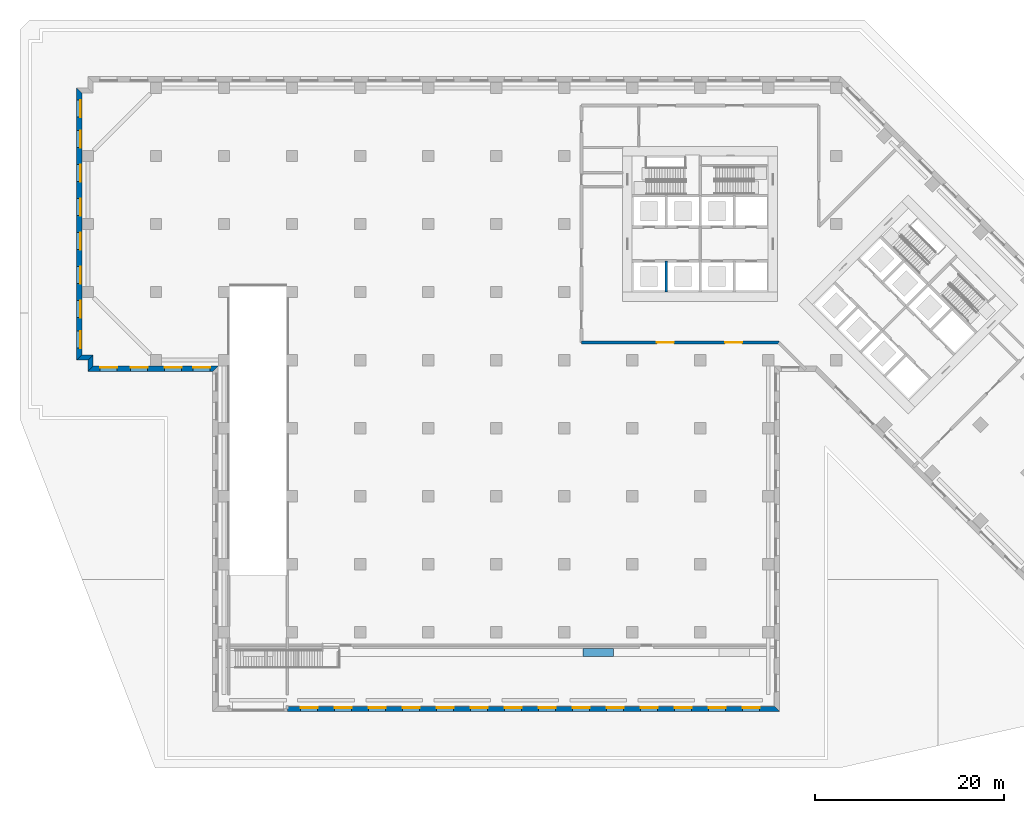
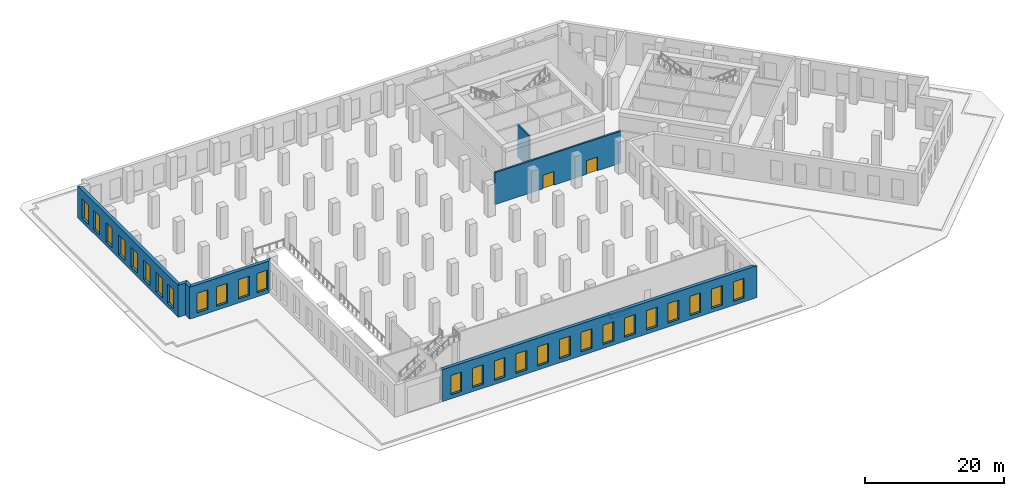
# One storey, part 4 of 15: 26 windows, 8 walls, 2 doors, 28 openings.
"""IFC4 building model written with IfcOpenShell, lengths in metres."""

import ifcopenshell
import ifcopenshell.guid

model = None  # the IFC model being written
_history = None  # IfcOwnerHistory: only IFC2X3 demands one
_inside = {}  # id of a spatial element -> (the spatial element, [elements in it])
_under = {}  # id of a project, library or spatial element -> (it, [spatial elements below it])
_declared = {}  # id of a project -> (the project, [libraries it declares])
_typed = {}  # id of a type object -> (the type object, [elements of that type])
_made_of = {}  # id of a material, layer set ... -> (it, [elements and type objects made of it])


def new_model(schema):
    """Start an empty IFC model of exactly this schema.

    Asked for "IFC4X3", IfcOpenShell would pick the latest addendum, in which some entities
    have other attributes; the version numbers below select the first issue.
    IFC2X3 requires an IfcOwnerHistory on every rooted entity: one is made here for all.
    """
    global model, _history
    if schema == "IFC4X3":
        model = ifcopenshell.file(schema_version=(4, 3, 0, 0))
    else:
        model = ifcopenshell.file(schema=schema)
    _inside.clear()
    _under.clear()
    _declared.clear()
    _typed.clear()
    _made_of.clear()
    _history = None
    if model.schema == "IFC2X3":
        org = make("IfcOrganization", Name="unknown")
        user = make(
            "IfcPersonAndOrganization",
            ThePerson=make("IfcPerson", FamilyName="unknown"),
            TheOrganization=org,
        )
        app = make(
            "IfcApplication",
            ApplicationDeveloper=org,
            Version="unknown",
            ApplicationFullName="unknown",
            ApplicationIdentifier="unknown",
        )
        _history = make(
            "IfcOwnerHistory",
            OwningUser=user,
            OwningApplication=app,
            ChangeAction="ADDED",
            CreationDate=0,
        )
    return model


def make(cls, **values):
    """One entity of the class cls with the attributes given. An attribute that is None is left unset."""
    return model.create_entity(
        cls, **{name: value for name, value in values.items() if value is not None}
    )


def rooted(cls, **values):
    """An entity with a GlobalId (a new one), such as an element, a storey or a relation."""
    return make(cls, GlobalId=ifcopenshell.guid.new(), OwnerHistory=_history, **values)


def si_unit(unit_type, name, prefix=None):
    """IfcSIUnit, for example si_unit("LENGTHUNIT", "METRE", prefix="MILLI")."""
    return make("IfcSIUnit", UnitType=unit_type, Prefix=prefix, Name=name)


def assignment(units):
    """IfcUnitAssignment: the units of a project."""
    return None if units is None else make("IfcUnitAssignment", Units=units)


def point(xyz):
    """IfcCartesianPoint."""
    return None if xyz is None else make("IfcCartesianPoint", Coordinates=xyz)


def direction(xyz):
    """IfcDirection."""
    return None if xyz is None else make("IfcDirection", DirectionRatios=xyz)


def frame(location, z_axis=None, x_axis=None):
    """IfcAxis2Placement3D, a coordinate frame: its origin and axes. An axis left out is left unset."""
    return make(
        "IfcAxis2Placement3D",
        Location=point(location),
        Axis=direction(z_axis),
        RefDirection=direction(x_axis),
    )


def frame_2d(location, x_axis=None):
    """IfcAxis2Placement2D, a coordinate frame in the plane: its origin and x axis."""
    return make(
        "IfcAxis2Placement2D", Location=point(location), RefDirection=direction(x_axis)
    )


def origin():
    """The frame at (0, 0, 0) with its axes left unset."""
    return frame((0.0, 0.0, 0.0))


def place(relative_to, where):
    """IfcLocalPlacement: puts the frame where relative to a parent placement (None: the world)."""
    return make(
        "IfcLocalPlacement", PlacementRelTo=relative_to, RelativePlacement=where
    )


def context(
    kind, dimensions, precision=None, world=None, true_north=None, identifier=None
):
    """IfcGeometricRepresentationContext, for example the 3D "Model" context."""
    return make(
        "IfcGeometricRepresentationContext",
        ContextIdentifier=identifier,
        ContextType=kind,
        CoordinateSpaceDimension=dimensions,
        Precision=precision,
        WorldCoordinateSystem=world,
        TrueNorth=true_north,
    )


def subcontext(parent, identifier, kind, view, scale=None):
    """IfcGeometricRepresentationSubContext, for example "Body" below "Model"."""
    return make(
        "IfcGeometricRepresentationSubContext",
        ContextIdentifier=identifier,
        ContextType=kind,
        ParentContext=parent,
        TargetScale=scale,
        TargetView=view,
    )


def project(units=None, contexts=None):
    """IfcProject with its units and contexts."""
    return rooted(
        "IfcProject",
        Name="project",
        RepresentationContexts=contexts,
        UnitsInContext=assignment(units),
    )


def spatial(cls, under=None, at=None, **own):
    """A site, building, storey or space (cls), placed at a placement, below another one or the project."""
    s = rooted(cls, ObjectPlacement=at, **own)
    if under is not None:
        _under.setdefault(under.id(), (under, []))[1].append(s)
    return s


def polyline(points):
    """IfcPolyline through the points."""
    return make("IfcPolyline", Points=[point(p) for p in points])


def profile(cls, at=None, kind="AREA", **sizes):
    """A parametric profile (cls). Its sizes go by their IFC names, for example OverallWidth=200.0."""
    return make(cls, ProfileType=kind, Position=at, **sizes)


def rectangle(**sizes):
    """IfcRectangleProfileDef."""
    return profile("IfcRectangleProfileDef", **sizes)


def outline(outer, holes=None, kind="AREA"):
    """IfcArbitraryClosedProfileDef: a profile drawn as a closed curve; with holes, ...WithVoids."""
    if holes is None:
        return make("IfcArbitraryClosedProfileDef", ProfileType=kind, OuterCurve=outer)
    return make(
        "IfcArbitraryProfileDefWithVoids",
        ProfileType=kind,
        OuterCurve=outer,
        InnerCurves=holes,
    )


def extrude(swept, where, along, depth):
    """IfcExtrudedAreaSolid: the profile swept, set in the frame where, extruded along a direction by depth."""
    return make(
        "IfcExtrudedAreaSolid",
        SweptArea=swept,
        Position=where,
        ExtrudedDirection=direction(along),
        Depth=depth,
    )


def shape(context_of_items, identifier, shape_type, items):
    """IfcShapeRepresentation: the items that make up one representation, for example the "Body"."""
    return make(
        "IfcShapeRepresentation",
        ContextOfItems=context_of_items,
        RepresentationIdentifier=identifier,
        RepresentationType=shape_type,
        Items=items,
    )


def material(Name=None, Category=None):
    """IfcMaterial."""
    return make("IfcMaterial", Name=Name, Category=Category)


def layer(
    of_material, thickness, ventilated=None, Name=None, Category=None, Priority=None
):
    """IfcMaterialLayer: one layer of a wall or slab, of a material (None: an air gap)."""
    return make(
        "IfcMaterialLayer",
        Material=of_material,
        LayerThickness=thickness,
        IsVentilated=ventilated,
        Name=Name,
        Category=Category,
        Priority=Priority,
    )


def layer_set(layers, Name=None):
    """IfcMaterialLayerSet."""
    return make("IfcMaterialLayerSet", MaterialLayers=layers, LayerSetName=Name)


def made_of(thing, what):
    """Note that an element or type object is made of a material, layer set ...; save() writes the relation."""
    if what is not None:
        _made_of.setdefault(what.id(), (what, []))[1].append(thing)
    return thing


def type_object(cls, material=None, **own):
    """A type object (cls), such as IfcWallType, which elements share."""
    return made_of(rooted(cls, **own), material)


def element(
    cls,
    number,
    at=None,
    inside=None,
    cuts=None,
    type_object=None,
    material=None,
    context=None,
    identifier="Body",
    shape_type=None,
    held_by="IfcProductDefinitionShape",
    body=None,
    shapes=None,
    **own,
):
    """One element of the class cls, such as IfcWall. Its Tag is "e" and its number.

    at: its placement. inside: the storey or other place that contains it. cuts: it is an
    opening in that element (IfcRelVoidsElement). A single representation is given by context,
    identifier, shape_type and body (its items); several are given by shapes. held_by: the class
    of the entity that holds the representations. save() writes the other relations.
    """
    e = rooted(cls, Tag="e%d" % number, ObjectPlacement=at, **own)
    if body is not None:
        shapes = [shape(context, identifier, shape_type, body)]
    if shapes is not None:
        e.Representation = make(held_by, Representations=shapes)
    if inside is not None:
        _inside.setdefault(inside.id(), (inside, []))[1].append(e)
    if cuts is not None:
        rooted(
            "IfcRelVoidsElement", RelatingBuildingElement=cuts, RelatedOpeningElement=e
        )
    if type_object is not None:
        _typed.setdefault(type_object.id(), (type_object, []))[1].append(e)
    return made_of(e, material)


def fill(opening, filler):
    """IfcRelFillsElement: the door or window that sits in an opening."""
    return rooted(
        "IfcRelFillsElement",
        RelatingOpeningElement=opening,
        RelatedBuildingElement=filler,
    )


def aggregate(whole, parts):
    """IfcRelAggregates: a whole, such as a stair, and the parts it consists of."""
    return rooted("IfcRelAggregates", RelatingObject=whole, RelatedObjects=parts)


def save(model, path):
    """Write the relations noted so far, then the file.

    IfcRelAggregates (storeys below a building ...), IfcRelContainedInSpatialStructure (elements
    in a storey), IfcRelDefinesByType, IfcRelAssociatesMaterial and IfcRelDeclares: one each for
    every whole, place, type object, material and project.
    """
    for whole, parts in _under.values():
        aggregate(whole, parts)
    for where, things in _inside.values():
        rooted(
            "IfcRelContainedInSpatialStructure",
            RelatedElements=things,
            RelatingStructure=where,
        )
    for kind, things in _typed.values():
        rooted("IfcRelDefinesByType", RelatedObjects=things, RelatingType=kind)
    for what, things in _made_of.values():
        rooted("IfcRelAssociatesMaterial", RelatedObjects=things, RelatingMaterial=what)
    for by, libraries in _declared.values():
        rooted("IfcRelDeclares", RelatingContext=by, RelatedDefinitions=libraries)
    model.write(path)


model = new_model("IFC4")

# Units and contexts
model_context = context("Model", 3, precision=1e-05, world=origin(), true_north=direction((0.0, 1.0)))
body_context = subcontext(model_context, "Body", "Model", "MODEL_VIEW")
ifc_project = project(units=[si_unit("LENGTHUNIT", "METRE"), si_unit("AREAUNIT", "SQUARE_METRE"), si_unit("VOLUMEUNIT", "CUBIC_METRE"), si_unit("PLANEANGLEUNIT", "RADIAN"), si_unit("MASSUNIT", "GRAM", prefix="KILO")], contexts=[model_context])

# Site, building, storey
site_placement = place(None, origin())
site = spatial("IfcSite", under=ifc_project, at=site_placement, CompositionType="ELEMENT")
building_placement = place(site_placement, origin())
building = spatial("IfcBuilding", under=site, at=building_placement, Name="Windrow Commons", CompositionType="ELEMENT")
storey_placement = place(building_placement, origin())
storey = spatial("IfcBuildingStorey", under=building, at=storey_placement, Name="L00", CompositionType="ELEMENT", Elevation=0.0)

# Wall, openings, windows
ifc_material_1 = material(Name="Brick masonry, red clay brick", Category="masonry")
ifc_layer_1 = layer(ifc_material_1, 0.55)
ifc_layer_set_1 = layer_set([ifc_layer_1], Name="Brick facade wall 550")
wall_type_1 = type_object("IfcWallType", Name="Brick facade wall 550", PredefinedType="SOLIDWALL", material=ifc_layer_set_1)
wall_1_placement = place(storey_placement, frame((-0.925, 71.725, 0.0), z_axis=(0.0, 0.0, 1.0), x_axis=(0.0, -1.0, 0.0)))
wall_1 = element("IfcWall", 1, at=wall_1_placement, inside=storey, type_object=wall_type_1, Name="Brick facade wall L00 8", PredefinedType="SOLIDWALL", context=body_context, shape_type="SweptSolid", body=[
    extrude(outline(polyline([(-0.275, -0.275), (28.525, -0.275), (27.975, 0.275), (0.275, 0.275), (-0.275, -0.275)])), origin(), (0.0, 0.0, 1.0), 5.6),
])
opening_1_placement = place(wall_1_placement, frame((1.0, 0.0, 0.7)))
opening_1 = element("IfcOpeningElement", 2, at=opening_1_placement, cuts=wall_1, Name="Opening W3", PredefinedType="OPENING", context=body_context, shape_type="SweptSolid", body=[
    extrude(rectangle(XDim=1.8, YDim=3.4, at=frame_2d((0.9, 1.7))), frame((0.0, 0.285, 0.0), z_axis=(0.0, -1.0, 0.0), x_axis=(1.0, 0.0, 0.0)), (0.0, 0.0, 1.0), 0.57),
])
opening_2_placement = place(wall_1_placement, frame((4.225, 0.0, 0.7)))
opening_2 = element("IfcOpeningElement", 3, at=opening_2_placement, cuts=wall_1, Name="Opening W3", PredefinedType="OPENING", context=body_context, shape_type="SweptSolid", body=[
    extrude(rectangle(XDim=1.8, YDim=3.4, at=frame_2d((0.9, 1.7))), frame((0.0, 0.285, 0.0), z_axis=(0.0, -1.0, 0.0), x_axis=(1.0, 0.0, 0.0)), (0.0, 0.0, 1.0), 0.57),
])
opening_3_placement = place(wall_1_placement, frame((7.825, 0.0, 0.7)))
opening_3 = element("IfcOpeningElement", 4, at=opening_3_placement, cuts=wall_1, Name="Opening W3", PredefinedType="OPENING", context=body_context, shape_type="SweptSolid", body=[
    extrude(rectangle(XDim=1.8, YDim=3.4, at=frame_2d((0.9, 1.7))), frame((0.0, 0.285, 0.0), z_axis=(0.0, -1.0, 0.0), x_axis=(1.0, 0.0, 0.0)), (0.0, 0.0, 1.0), 0.57),
])
opening_4_placement = place(wall_1_placement, frame((11.425, 0.0, 0.7)))
opening_4 = element("IfcOpeningElement", 5, at=opening_4_placement, cuts=wall_1, Name="Opening W3", PredefinedType="OPENING", context=body_context, shape_type="SweptSolid", body=[
    extrude(rectangle(XDim=1.8, YDim=3.4, at=frame_2d((0.9, 1.7))), frame((0.0, 0.285, 0.0), z_axis=(0.0, -1.0, 0.0), x_axis=(1.0, 0.0, 0.0)), (0.0, 0.0, 1.0), 0.57),
])
opening_5_placement = place(wall_1_placement, frame((15.025, 0.0, 0.7)))
opening_5 = element("IfcOpeningElement", 6, at=opening_5_placement, cuts=wall_1, Name="Opening W3", PredefinedType="OPENING", context=body_context, shape_type="SweptSolid", body=[
    extrude(rectangle(XDim=1.8, YDim=3.4, at=frame_2d((0.9, 1.7))), frame((0.0, 0.285, 0.0), z_axis=(0.0, -1.0, 0.0), x_axis=(1.0, 0.0, 0.0)), (0.0, 0.0, 1.0), 0.57),
])
opening_6_placement = place(wall_1_placement, frame((18.625, 0.0, 0.7)))
opening_6 = element("IfcOpeningElement", 7, at=opening_6_placement, cuts=wall_1, Name="Opening W3", PredefinedType="OPENING", context=body_context, shape_type="SweptSolid", body=[
    extrude(rectangle(XDim=1.8, YDim=3.4, at=frame_2d((0.9, 1.7))), frame((0.0, 0.285, 0.0), z_axis=(0.0, -1.0, 0.0), x_axis=(1.0, 0.0, 0.0)), (0.0, 0.0, 1.0), 0.57),
])
opening_7_placement = place(wall_1_placement, frame((22.225, 0.0, 0.7)))
opening_7 = element("IfcOpeningElement", 8, at=opening_7_placement, cuts=wall_1, Name="Opening W3", PredefinedType="OPENING", context=body_context, shape_type="SweptSolid", body=[
    extrude(rectangle(XDim=1.8, YDim=3.4, at=frame_2d((0.9, 1.7))), frame((0.0, 0.285, 0.0), z_axis=(0.0, -1.0, 0.0), x_axis=(1.0, 0.0, 0.0)), (0.0, 0.0, 1.0), 0.57),
])
opening_8_placement = place(wall_1_placement, frame((25.45, 0.0, 0.7)))
opening_8 = element("IfcOpeningElement", 9, at=opening_8_placement, cuts=wall_1, Name="Opening W3", PredefinedType="OPENING", context=body_context, shape_type="SweptSolid", body=[
    extrude(rectangle(XDim=1.8, YDim=3.4, at=frame_2d((0.9, 1.7))), frame((0.0, 0.285, 0.0), z_axis=(0.0, -1.0, 0.0), x_axis=(1.0, 0.0, 0.0)), (0.0, 0.0, 1.0), 0.57),
])
ifc_material_2 = material(Name="Clear float glass in anodised aluminium frame", Category="aluminium")
window_type = type_object("IfcWindowType", Name="Window W3 shopfront 1800x3400", PartitioningType="SINGLE_PANEL", PredefinedType="WINDOW", material=ifc_material_2)
window_1_placement = place(opening_1_placement, origin())
window_1 = element("IfcWindow", 10, at=window_1_placement, inside=storey, type_object=window_type, Name="Window L00 8.1", OverallHeight=3.4, OverallWidth=1.8, PartitioningType="SINGLE_PANEL", PredefinedType="WINDOW", context=body_context, shape_type="SweptSolid", body=[
    extrude(rectangle(XDim=1.8, YDim=3.4, at=frame_2d((0.9, 1.7))), frame((0.0, 0.155, 0.0), z_axis=(0.0, -1.0, 0.0), x_axis=(1.0, 0.0, 0.0)), (0.0, 0.0, 1.0), 0.06),
])
fill(opening_1, window_1)
window_2_placement = place(opening_2_placement, origin())
window_2 = element("IfcWindow", 11, at=window_2_placement, inside=storey, type_object=window_type, Name="Window L00 8.2", OverallHeight=3.4, OverallWidth=1.8, PartitioningType="SINGLE_PANEL", PredefinedType="WINDOW", context=body_context, shape_type="SweptSolid", body=[
    extrude(rectangle(XDim=1.8, YDim=3.4, at=frame_2d((0.9, 1.7))), frame((0.0, 0.155, 0.0), z_axis=(0.0, -1.0, 0.0), x_axis=(1.0, 0.0, 0.0)), (0.0, 0.0, 1.0), 0.06),
])
fill(opening_2, window_2)
window_3_placement = place(opening_3_placement, origin())
window_3 = element("IfcWindow", 12, at=window_3_placement, inside=storey, type_object=window_type, Name="Window L00 8.3", OverallHeight=3.4, OverallWidth=1.8, PartitioningType="SINGLE_PANEL", PredefinedType="WINDOW", context=body_context, shape_type="SweptSolid", body=[
    extrude(rectangle(XDim=1.8, YDim=3.4, at=frame_2d((0.9, 1.7))), frame((0.0, 0.155, 0.0), z_axis=(0.0, -1.0, 0.0), x_axis=(1.0, 0.0, 0.0)), (0.0, 0.0, 1.0), 0.06),
])
fill(opening_3, window_3)
window_4_placement = place(opening_4_placement, origin())
window_4 = element("IfcWindow", 13, at=window_4_placement, inside=storey, type_object=window_type, Name="Window L00 8.4", OverallHeight=3.4, OverallWidth=1.8, PartitioningType="SINGLE_PANEL", PredefinedType="WINDOW", context=body_context, shape_type="SweptSolid", body=[
    extrude(rectangle(XDim=1.8, YDim=3.4, at=frame_2d((0.9, 1.7))), frame((0.0, 0.155, 0.0), z_axis=(0.0, -1.0, 0.0), x_axis=(1.0, 0.0, 0.0)), (0.0, 0.0, 1.0), 0.06),
])
fill(opening_4, window_4)
window_5_placement = place(opening_5_placement, origin())
window_5 = element("IfcWindow", 14, at=window_5_placement, inside=storey, type_object=window_type, Name="Window L00 8.5", OverallHeight=3.4, OverallWidth=1.8, PartitioningType="SINGLE_PANEL", PredefinedType="WINDOW", context=body_context, shape_type="SweptSolid", body=[
    extrude(rectangle(XDim=1.8, YDim=3.4, at=frame_2d((0.9, 1.7))), frame((0.0, 0.155, 0.0), z_axis=(0.0, -1.0, 0.0), x_axis=(1.0, 0.0, 0.0)), (0.0, 0.0, 1.0), 0.06),
])
fill(opening_5, window_5)
window_6_placement = place(opening_6_placement, origin())
window_6 = element("IfcWindow", 15, at=window_6_placement, inside=storey, type_object=window_type, Name="Window L00 8.6", OverallHeight=3.4, OverallWidth=1.8, PartitioningType="SINGLE_PANEL", PredefinedType="WINDOW", context=body_context, shape_type="SweptSolid", body=[
    extrude(rectangle(XDim=1.8, YDim=3.4, at=frame_2d((0.9, 1.7))), frame((0.0, 0.155, 0.0), z_axis=(0.0, -1.0, 0.0), x_axis=(1.0, 0.0, 0.0)), (0.0, 0.0, 1.0), 0.06),
])
fill(opening_6, window_6)
window_7_placement = place(opening_7_placement, origin())
window_7 = element("IfcWindow", 16, at=window_7_placement, inside=storey, type_object=window_type, Name="Window L00 8.7", OverallHeight=3.4, OverallWidth=1.8, PartitioningType="SINGLE_PANEL", PredefinedType="WINDOW", context=body_context, shape_type="SweptSolid", body=[
    extrude(rectangle(XDim=1.8, YDim=3.4, at=frame_2d((0.9, 1.7))), frame((0.0, 0.155, 0.0), z_axis=(0.0, -1.0, 0.0), x_axis=(1.0, 0.0, 0.0)), (0.0, 0.0, 1.0), 0.06),
])
fill(opening_7, window_7)
window_8_placement = place(opening_8_placement, origin())
window_8 = element("IfcWindow", 17, at=window_8_placement, inside=storey, type_object=window_type, Name="Window L00 8.8", OverallHeight=3.4, OverallWidth=1.8, PartitioningType="SINGLE_PANEL", PredefinedType="WINDOW", context=body_context, shape_type="SweptSolid", body=[
    extrude(rectangle(XDim=1.8, YDim=3.4, at=frame_2d((0.9, 1.7))), frame((0.0, 0.155, 0.0), z_axis=(0.0, -1.0, 0.0), x_axis=(1.0, 0.0, 0.0)), (0.0, 0.0, 1.0), 0.06),
])
fill(opening_8, window_8)

# Walls
wall_2_placement = place(storey_placement, frame((-0.925, 43.475, 0.0), z_axis=(0.0, 0.0, 1.0), x_axis=(1.0, 0.0, 0.0)))
element("IfcWall", 18, at=wall_2_placement, inside=storey, type_object=wall_type_1, Name="Brick facade wall L00 9", PredefinedType="SOLIDWALL", context=body_context, shape_type="SweptSolid", body=[
    extrude(outline(polyline([(-0.275, -0.275), (0.925, -0.275), (1.475, 0.275), (0.275, 0.275), (-0.275, -0.275)])), origin(), (0.0, 0.0, 1.0), 5.6),
])
wall_3_placement = place(storey_placement, frame((0.275, 43.475, 0.0), z_axis=(0.0, 0.0, 1.0), x_axis=(0.0, -1.0, 0.0)))
element("IfcWall", 19, at=wall_3_placement, inside=storey, type_object=wall_type_1, Name="Brick facade wall L00 10", PredefinedType="SOLIDWALL", context=body_context, shape_type="SweptSolid", body=[
    extrude(outline(polyline([(0.275, -0.275), (1.475, -0.275), (0.925, 0.275), (-0.275, 0.275), (0.275, -0.275)])), origin(), (0.0, 0.0, 1.0), 5.6),
])

# Wall, openings, windows
wall_4_placement = place(storey_placement, frame((0.275, 42.275, 0.0), z_axis=(0.0, 0.0, 1.0), x_axis=(1.0, 0.0, 0.0)))
wall_4 = element("IfcWall", 20, at=wall_4_placement, inside=storey, type_object=wall_type_1, Name="Brick facade wall L00 11", PredefinedType="SOLIDWALL", context=body_context, shape_type="SweptSolid", body=[
    extrude(outline(polyline([(-0.275, -0.275), (12.925, -0.275), (13.475, 0.275), (0.275, 0.275), (-0.275, -0.275)])), origin(), (0.0, 0.0, 1.0), 5.6),
])
opening_9_placement = place(wall_4_placement, frame((1.0, 0.0, 0.7)))
opening_9 = element("IfcOpeningElement", 21, at=opening_9_placement, cuts=wall_4, Name="Opening W3", PredefinedType="OPENING", context=body_context, shape_type="SweptSolid", body=[
    extrude(rectangle(XDim=1.8, YDim=3.4, at=frame_2d((0.9, 1.7))), frame((0.0, 0.285, 0.0), z_axis=(0.0, -1.0, 0.0), x_axis=(1.0, 0.0, 0.0)), (0.0, 0.0, 1.0), 0.57),
])
opening_10_placement = place(wall_4_placement, frame((4.225, 0.0, 0.7)))
opening_10 = element("IfcOpeningElement", 22, at=opening_10_placement, cuts=wall_4, Name="Opening W3", PredefinedType="OPENING", context=body_context, shape_type="SweptSolid", body=[
    extrude(rectangle(XDim=1.8, YDim=3.4, at=frame_2d((0.9, 1.7))), frame((0.0, 0.285, 0.0), z_axis=(0.0, -1.0, 0.0), x_axis=(1.0, 0.0, 0.0)), (0.0, 0.0, 1.0), 0.57),
])
opening_11_placement = place(wall_4_placement, frame((7.825, 0.0, 0.7)))
opening_11 = element("IfcOpeningElement", 23, at=opening_11_placement, cuts=wall_4, Name="Opening W3", PredefinedType="OPENING", context=body_context, shape_type="SweptSolid", body=[
    extrude(rectangle(XDim=1.8, YDim=3.4, at=frame_2d((0.9, 1.7))), frame((0.0, 0.285, 0.0), z_axis=(0.0, -1.0, 0.0), x_axis=(1.0, 0.0, 0.0)), (0.0, 0.0, 1.0), 0.57),
])
opening_12_placement = place(wall_4_placement, frame((10.8625, 0.0, 0.7)))
opening_12 = element("IfcOpeningElement", 24, at=opening_12_placement, cuts=wall_4, Name="Opening W3", PredefinedType="OPENING", context=body_context, shape_type="SweptSolid", body=[
    extrude(rectangle(XDim=1.8, YDim=3.4, at=frame_2d((0.9, 1.7))), frame((0.0, 0.285, 0.0), z_axis=(0.0, -1.0, 0.0), x_axis=(1.0, 0.0, 0.0)), (0.0, 0.0, 1.0), 0.57),
])
window_9_placement = place(opening_9_placement, origin())
window_9 = element("IfcWindow", 25, at=window_9_placement, inside=storey, type_object=window_type, Name="Window L00 11.1", OverallHeight=3.4, OverallWidth=1.8, PartitioningType="SINGLE_PANEL", PredefinedType="WINDOW", context=body_context, shape_type="SweptSolid", body=[
    extrude(rectangle(XDim=1.8, YDim=3.4, at=frame_2d((0.9, 1.7))), frame((0.0, 0.155, 0.0), z_axis=(0.0, -1.0, 0.0), x_axis=(1.0, 0.0, 0.0)), (0.0, 0.0, 1.0), 0.06),
])
fill(opening_9, window_9)
window_10_placement = place(opening_10_placement, origin())
window_10 = element("IfcWindow", 26, at=window_10_placement, inside=storey, type_object=window_type, Name="Window L00 11.2", OverallHeight=3.4, OverallWidth=1.8, PartitioningType="SINGLE_PANEL", PredefinedType="WINDOW", context=body_context, shape_type="SweptSolid", body=[
    extrude(rectangle(XDim=1.8, YDim=3.4, at=frame_2d((0.9, 1.7))), frame((0.0, 0.155, 0.0), z_axis=(0.0, -1.0, 0.0), x_axis=(1.0, 0.0, 0.0)), (0.0, 0.0, 1.0), 0.06),
])
fill(opening_10, window_10)
window_11_placement = place(opening_11_placement, origin())
window_11 = element("IfcWindow", 27, at=window_11_placement, inside=storey, type_object=window_type, Name="Window L00 11.3", OverallHeight=3.4, OverallWidth=1.8, PartitioningType="SINGLE_PANEL", PredefinedType="WINDOW", context=body_context, shape_type="SweptSolid", body=[
    extrude(rectangle(XDim=1.8, YDim=3.4, at=frame_2d((0.9, 1.7))), frame((0.0, 0.155, 0.0), z_axis=(0.0, -1.0, 0.0), x_axis=(1.0, 0.0, 0.0)), (0.0, 0.0, 1.0), 0.06),
])
fill(opening_11, window_11)
window_12_placement = place(opening_12_placement, origin())
window_12 = element("IfcWindow", 28, at=window_12_placement, inside=storey, type_object=window_type, Name="Window L00 11.4", OverallHeight=3.4, OverallWidth=1.8, PartitioningType="SINGLE_PANEL", PredefinedType="WINDOW", context=body_context, shape_type="SweptSolid", body=[
    extrude(rectangle(XDim=1.8, YDim=3.4, at=frame_2d((0.9, 1.7))), frame((0.0, 0.155, 0.0), z_axis=(0.0, -1.0, 0.0), x_axis=(1.0, 0.0, 0.0)), (0.0, 0.0, 1.0), 0.06),
])
fill(opening_12, window_12)

wall_5_placement = place(storey_placement, frame((21.1, 6.275, 0.0), z_axis=(0.0, 0.0, 1.0), x_axis=(1.0, 0.0, 0.0)))
wall_5 = element("IfcWall", 29, at=wall_5_placement, inside=storey, type_object=wall_type_1, Name="Brick facade wall L00 14", PredefinedType="SOLIDWALL", context=body_context, shape_type="SweptSolid", body=[
    extrude(outline(polyline([(0.0, -0.275), (52.1, -0.275), (51.55, 0.275), (0.0, 0.275), (0.0, -0.275)])), origin(), (0.0, 0.0, 1.0), 5.6),
])
opening_13_placement = place(wall_5_placement, frame((1.4, 0.0, 0.7)))
opening_13 = element("IfcOpeningElement", 30, at=opening_13_placement, cuts=wall_5, Name="Opening W3", PredefinedType="OPENING", context=body_context, shape_type="SweptSolid", body=[
    extrude(rectangle(XDim=1.8, YDim=3.4, at=frame_2d((0.9, 1.7))), frame((0.0, 0.285, 0.0), z_axis=(0.0, -1.0, 0.0), x_axis=(1.0, 0.0, 0.0)), (0.0, 0.0, 1.0), 0.57),
])
opening_14_placement = place(wall_5_placement, frame((5.0, 0.0, 0.7)))
opening_14 = element("IfcOpeningElement", 31, at=opening_14_placement, cuts=wall_5, Name="Opening W3", PredefinedType="OPENING", context=body_context, shape_type="SweptSolid", body=[
    extrude(rectangle(XDim=1.8, YDim=3.4, at=frame_2d((0.9, 1.7))), frame((0.0, 0.285, 0.0), z_axis=(0.0, -1.0, 0.0), x_axis=(1.0, 0.0, 0.0)), (0.0, 0.0, 1.0), 0.57),
])
opening_15_placement = place(wall_5_placement, frame((8.6, 0.0, 0.7)))
opening_15 = element("IfcOpeningElement", 32, at=opening_15_placement, cuts=wall_5, Name="Opening W3", PredefinedType="OPENING", context=body_context, shape_type="SweptSolid", body=[
    extrude(rectangle(XDim=1.8, YDim=3.4, at=frame_2d((0.9, 1.7))), frame((0.0, 0.285, 0.0), z_axis=(0.0, -1.0, 0.0), x_axis=(1.0, 0.0, 0.0)), (0.0, 0.0, 1.0), 0.57),
])
opening_16_placement = place(wall_5_placement, frame((12.2, 0.0, 0.7)))
opening_16 = element("IfcOpeningElement", 33, at=opening_16_placement, cuts=wall_5, Name="Opening W3", PredefinedType="OPENING", context=body_context, shape_type="SweptSolid", body=[
    extrude(rectangle(XDim=1.8, YDim=3.4, at=frame_2d((0.9, 1.7))), frame((0.0, 0.285, 0.0), z_axis=(0.0, -1.0, 0.0), x_axis=(1.0, 0.0, 0.0)), (0.0, 0.0, 1.0), 0.57),
])
opening_17_placement = place(wall_5_placement, frame((15.8, 0.0, 0.7)))
opening_17 = element("IfcOpeningElement", 34, at=opening_17_placement, cuts=wall_5, Name="Opening W3", PredefinedType="OPENING", context=body_context, shape_type="SweptSolid", body=[
    extrude(rectangle(XDim=1.8, YDim=3.4, at=frame_2d((0.9, 1.7))), frame((0.0, 0.285, 0.0), z_axis=(0.0, -1.0, 0.0), x_axis=(1.0, 0.0, 0.0)), (0.0, 0.0, 1.0), 0.57),
])
opening_18_placement = place(wall_5_placement, frame((19.4, 0.0, 0.7)))
opening_18 = element("IfcOpeningElement", 35, at=opening_18_placement, cuts=wall_5, Name="Opening W3", PredefinedType="OPENING", context=body_context, shape_type="SweptSolid", body=[
    extrude(rectangle(XDim=1.8, YDim=3.4, at=frame_2d((0.9, 1.7))), frame((0.0, 0.285, 0.0), z_axis=(0.0, -1.0, 0.0), x_axis=(1.0, 0.0, 0.0)), (0.0, 0.0, 1.0), 0.57),
])
opening_19_placement = place(wall_5_placement, frame((23.0, 0.0, 0.7)))
opening_19 = element("IfcOpeningElement", 36, at=opening_19_placement, cuts=wall_5, Name="Opening W3", PredefinedType="OPENING", context=body_context, shape_type="SweptSolid", body=[
    extrude(rectangle(XDim=1.8, YDim=3.4, at=frame_2d((0.9, 1.7))), frame((0.0, 0.285, 0.0), z_axis=(0.0, -1.0, 0.0), x_axis=(1.0, 0.0, 0.0)), (0.0, 0.0, 1.0), 0.57),
])
opening_20_placement = place(wall_5_placement, frame((26.6, 0.0, 0.7)))
opening_20 = element("IfcOpeningElement", 37, at=opening_20_placement, cuts=wall_5, Name="Opening W3", PredefinedType="OPENING", context=body_context, shape_type="SweptSolid", body=[
    extrude(rectangle(XDim=1.8, YDim=3.4, at=frame_2d((0.9, 1.7))), frame((0.0, 0.285, 0.0), z_axis=(0.0, -1.0, 0.0), x_axis=(1.0, 0.0, 0.0)), (0.0, 0.0, 1.0), 0.57),
])
opening_21_placement = place(wall_5_placement, frame((30.2, 0.0, 0.7)))
opening_21 = element("IfcOpeningElement", 38, at=opening_21_placement, cuts=wall_5, Name="Opening W3", PredefinedType="OPENING", context=body_context, shape_type="SweptSolid", body=[
    extrude(rectangle(XDim=1.8, YDim=3.4, at=frame_2d((0.9, 1.7))), frame((0.0, 0.285, 0.0), z_axis=(0.0, -1.0, 0.0), x_axis=(1.0, 0.0, 0.0)), (0.0, 0.0, 1.0), 0.57),
])
opening_22_placement = place(wall_5_placement, frame((33.8, 0.0, 0.7)))
opening_22 = element("IfcOpeningElement", 39, at=opening_22_placement, cuts=wall_5, Name="Opening W3", PredefinedType="OPENING", context=body_context, shape_type="SweptSolid", body=[
    extrude(rectangle(XDim=1.8, YDim=3.4, at=frame_2d((0.9, 1.7))), frame((0.0, 0.285, 0.0), z_axis=(0.0, -1.0, 0.0), x_axis=(1.0, 0.0, 0.0)), (0.0, 0.0, 1.0), 0.57),
])
opening_23_placement = place(wall_5_placement, frame((37.4, 0.0, 0.7)))
opening_23 = element("IfcOpeningElement", 40, at=opening_23_placement, cuts=wall_5, Name="Opening W3", PredefinedType="OPENING", context=body_context, shape_type="SweptSolid", body=[
    extrude(rectangle(XDim=1.8, YDim=3.4, at=frame_2d((0.9, 1.7))), frame((0.0, 0.285, 0.0), z_axis=(0.0, -1.0, 0.0), x_axis=(1.0, 0.0, 0.0)), (0.0, 0.0, 1.0), 0.57),
])
opening_24_placement = place(wall_5_placement, frame((41.0, 0.0, 0.7)))
opening_24 = element("IfcOpeningElement", 41, at=opening_24_placement, cuts=wall_5, Name="Opening W3", PredefinedType="OPENING", context=body_context, shape_type="SweptSolid", body=[
    extrude(rectangle(XDim=1.8, YDim=3.4, at=frame_2d((0.9, 1.7))), frame((0.0, 0.285, 0.0), z_axis=(0.0, -1.0, 0.0), x_axis=(1.0, 0.0, 0.0)), (0.0, 0.0, 1.0), 0.57),
])
opening_25_placement = place(wall_5_placement, frame((44.6, 0.0, 0.7)))
opening_25 = element("IfcOpeningElement", 42, at=opening_25_placement, cuts=wall_5, Name="Opening W3", PredefinedType="OPENING", context=body_context, shape_type="SweptSolid", body=[
    extrude(rectangle(XDim=1.8, YDim=3.4, at=frame_2d((0.9, 1.7))), frame((0.0, 0.285, 0.0), z_axis=(0.0, -1.0, 0.0), x_axis=(1.0, 0.0, 0.0)), (0.0, 0.0, 1.0), 0.57),
])
opening_26_placement = place(wall_5_placement, frame((48.2, 0.0, 0.7)))
opening_26 = element("IfcOpeningElement", 43, at=opening_26_placement, cuts=wall_5, Name="Opening W3", PredefinedType="OPENING", context=body_context, shape_type="SweptSolid", body=[
    extrude(rectangle(XDim=1.8, YDim=3.4, at=frame_2d((0.9, 1.7))), frame((0.0, 0.285, 0.0), z_axis=(0.0, -1.0, 0.0), x_axis=(1.0, 0.0, 0.0)), (0.0, 0.0, 1.0), 0.57),
])
window_13_placement = place(opening_13_placement, origin())
window_13 = element("IfcWindow", 44, at=window_13_placement, inside=storey, type_object=window_type, Name="Window L00 14.1", OverallHeight=3.4, OverallWidth=1.8, PartitioningType="SINGLE_PANEL", PredefinedType="WINDOW", context=body_context, shape_type="SweptSolid", body=[
    extrude(rectangle(XDim=1.8, YDim=3.4, at=frame_2d((0.9, 1.7))), frame((0.0, 0.155, 0.0), z_axis=(0.0, -1.0, 0.0), x_axis=(1.0, 0.0, 0.0)), (0.0, 0.0, 1.0), 0.06),
])
fill(opening_13, window_13)
window_14_placement = place(opening_14_placement, origin())
window_14 = element("IfcWindow", 45, at=window_14_placement, inside=storey, type_object=window_type, Name="Window L00 14.2", OverallHeight=3.4, OverallWidth=1.8, PartitioningType="SINGLE_PANEL", PredefinedType="WINDOW", context=body_context, shape_type="SweptSolid", body=[
    extrude(rectangle(XDim=1.8, YDim=3.4, at=frame_2d((0.9, 1.7))), frame((0.0, 0.155, 0.0), z_axis=(0.0, -1.0, 0.0), x_axis=(1.0, 0.0, 0.0)), (0.0, 0.0, 1.0), 0.06),
])
fill(opening_14, window_14)
window_15_placement = place(opening_15_placement, origin())
window_15 = element("IfcWindow", 46, at=window_15_placement, inside=storey, type_object=window_type, Name="Window L00 14.3", OverallHeight=3.4, OverallWidth=1.8, PartitioningType="SINGLE_PANEL", PredefinedType="WINDOW", context=body_context, shape_type="SweptSolid", body=[
    extrude(rectangle(XDim=1.8, YDim=3.4, at=frame_2d((0.9, 1.7))), frame((0.0, 0.155, 0.0), z_axis=(0.0, -1.0, 0.0), x_axis=(1.0, 0.0, 0.0)), (0.0, 0.0, 1.0), 0.06),
])
fill(opening_15, window_15)
window_16_placement = place(opening_16_placement, origin())
window_16 = element("IfcWindow", 47, at=window_16_placement, inside=storey, type_object=window_type, Name="Window L00 14.4", OverallHeight=3.4, OverallWidth=1.8, PartitioningType="SINGLE_PANEL", PredefinedType="WINDOW", context=body_context, shape_type="SweptSolid", body=[
    extrude(rectangle(XDim=1.8, YDim=3.4, at=frame_2d((0.9, 1.7))), frame((0.0, 0.155, 0.0), z_axis=(0.0, -1.0, 0.0), x_axis=(1.0, 0.0, 0.0)), (0.0, 0.0, 1.0), 0.06),
])
fill(opening_16, window_16)
window_17_placement = place(opening_17_placement, origin())
window_17 = element("IfcWindow", 48, at=window_17_placement, inside=storey, type_object=window_type, Name="Window L00 14.5", OverallHeight=3.4, OverallWidth=1.8, PartitioningType="SINGLE_PANEL", PredefinedType="WINDOW", context=body_context, shape_type="SweptSolid", body=[
    extrude(rectangle(XDim=1.8, YDim=3.4, at=frame_2d((0.9, 1.7))), frame((0.0, 0.155, 0.0), z_axis=(0.0, -1.0, 0.0), x_axis=(1.0, 0.0, 0.0)), (0.0, 0.0, 1.0), 0.06),
])
fill(opening_17, window_17)
window_18_placement = place(opening_18_placement, origin())
window_18 = element("IfcWindow", 49, at=window_18_placement, inside=storey, type_object=window_type, Name="Window L00 14.6", OverallHeight=3.4, OverallWidth=1.8, PartitioningType="SINGLE_PANEL", PredefinedType="WINDOW", context=body_context, shape_type="SweptSolid", body=[
    extrude(rectangle(XDim=1.8, YDim=3.4, at=frame_2d((0.9, 1.7))), frame((0.0, 0.155, 0.0), z_axis=(0.0, -1.0, 0.0), x_axis=(1.0, 0.0, 0.0)), (0.0, 0.0, 1.0), 0.06),
])
fill(opening_18, window_18)
window_19_placement = place(opening_19_placement, origin())
window_19 = element("IfcWindow", 50, at=window_19_placement, inside=storey, type_object=window_type, Name="Window L00 14.7", OverallHeight=3.4, OverallWidth=1.8, PartitioningType="SINGLE_PANEL", PredefinedType="WINDOW", context=body_context, shape_type="SweptSolid", body=[
    extrude(rectangle(XDim=1.8, YDim=3.4, at=frame_2d((0.9, 1.7))), frame((0.0, 0.155, 0.0), z_axis=(0.0, -1.0, 0.0), x_axis=(1.0, 0.0, 0.0)), (0.0, 0.0, 1.0), 0.06),
])
fill(opening_19, window_19)
window_20_placement = place(opening_20_placement, origin())
window_20 = element("IfcWindow", 51, at=window_20_placement, inside=storey, type_object=window_type, Name="Window L00 14.8", OverallHeight=3.4, OverallWidth=1.8, PartitioningType="SINGLE_PANEL", PredefinedType="WINDOW", context=body_context, shape_type="SweptSolid", body=[
    extrude(rectangle(XDim=1.8, YDim=3.4, at=frame_2d((0.9, 1.7))), frame((0.0, 0.155, 0.0), z_axis=(0.0, -1.0, 0.0), x_axis=(1.0, 0.0, 0.0)), (0.0, 0.0, 1.0), 0.06),
])
fill(opening_20, window_20)
window_21_placement = place(opening_21_placement, origin())
window_21 = element("IfcWindow", 52, at=window_21_placement, inside=storey, type_object=window_type, Name="Window L00 14.9", OverallHeight=3.4, OverallWidth=1.8, PartitioningType="SINGLE_PANEL", PredefinedType="WINDOW", context=body_context, shape_type="SweptSolid", body=[
    extrude(rectangle(XDim=1.8, YDim=3.4, at=frame_2d((0.9, 1.7))), frame((0.0, 0.155, 0.0), z_axis=(0.0, -1.0, 0.0), x_axis=(1.0, 0.0, 0.0)), (0.0, 0.0, 1.0), 0.06),
])
fill(opening_21, window_21)
window_22_placement = place(opening_22_placement, origin())
window_22 = element("IfcWindow", 53, at=window_22_placement, inside=storey, type_object=window_type, Name="Window L00 14.10", OverallHeight=3.4, OverallWidth=1.8, PartitioningType="SINGLE_PANEL", PredefinedType="WINDOW", context=body_context, shape_type="SweptSolid", body=[
    extrude(rectangle(XDim=1.8, YDim=3.4, at=frame_2d((0.9, 1.7))), frame((0.0, 0.155, 0.0), z_axis=(0.0, -1.0, 0.0), x_axis=(1.0, 0.0, 0.0)), (0.0, 0.0, 1.0), 0.06),
])
fill(opening_22, window_22)
window_23_placement = place(opening_23_placement, origin())
window_23 = element("IfcWindow", 54, at=window_23_placement, inside=storey, type_object=window_type, Name="Window L00 14.11", OverallHeight=3.4, OverallWidth=1.8, PartitioningType="SINGLE_PANEL", PredefinedType="WINDOW", context=body_context, shape_type="SweptSolid", body=[
    extrude(rectangle(XDim=1.8, YDim=3.4, at=frame_2d((0.9, 1.7))), frame((0.0, 0.155, 0.0), z_axis=(0.0, -1.0, 0.0), x_axis=(1.0, 0.0, 0.0)), (0.0, 0.0, 1.0), 0.06),
])
fill(opening_23, window_23)
window_24_placement = place(opening_24_placement, origin())
window_24 = element("IfcWindow", 55, at=window_24_placement, inside=storey, type_object=window_type, Name="Window L00 14.12", OverallHeight=3.4, OverallWidth=1.8, PartitioningType="SINGLE_PANEL", PredefinedType="WINDOW", context=body_context, shape_type="SweptSolid", body=[
    extrude(rectangle(XDim=1.8, YDim=3.4, at=frame_2d((0.9, 1.7))), frame((0.0, 0.155, 0.0), z_axis=(0.0, -1.0, 0.0), x_axis=(1.0, 0.0, 0.0)), (0.0, 0.0, 1.0), 0.06),
])
fill(opening_24, window_24)
window_25_placement = place(opening_25_placement, origin())
window_25 = element("IfcWindow", 56, at=window_25_placement, inside=storey, type_object=window_type, Name="Window L00 14.13", OverallHeight=3.4, OverallWidth=1.8, PartitioningType="SINGLE_PANEL", PredefinedType="WINDOW", context=body_context, shape_type="SweptSolid", body=[
    extrude(rectangle(XDim=1.8, YDim=3.4, at=frame_2d((0.9, 1.7))), frame((0.0, 0.155, 0.0), z_axis=(0.0, -1.0, 0.0), x_axis=(1.0, 0.0, 0.0)), (0.0, 0.0, 1.0), 0.06),
])
fill(opening_25, window_25)
window_26_placement = place(opening_26_placement, origin())
window_26 = element("IfcWindow", 57, at=window_26_placement, inside=storey, type_object=window_type, Name="Window L00 14.14", OverallHeight=3.4, OverallWidth=1.8, PartitioningType="SINGLE_PANEL", PredefinedType="WINDOW", context=body_context, shape_type="SweptSolid", body=[
    extrude(rectangle(XDim=1.8, YDim=3.4, at=frame_2d((0.9, 1.7))), frame((0.0, 0.155, 0.0), z_axis=(0.0, -1.0, 0.0), x_axis=(1.0, 0.0, 0.0)), (0.0, 0.0, 1.0), 0.06),
])
fill(opening_26, window_26)

# Wall, openings, doors
ifc_material_3 = material(Name="Blockwork partition", Category="masonry")
ifc_layer_2 = layer(ifc_material_3, 0.3)
ifc_layer_set_2 = layer_set([ifc_layer_2], Name="Entrance hall wall 300")
wall_type_2 = type_object("IfcWallType", Name="Entrance hall wall 300", PredefinedType="PARTITIONING", material=ifc_layer_set_2)
wall_6_placement = place(storey_placement, frame((73.1281, 45.05, 0.0), z_axis=(0.0, 0.0, 1.0), x_axis=(-1.0, 0.0, 0.0)))
wall_6 = element("IfcWall", 58, at=wall_6_placement, inside=storey, type_object=wall_type_2, Name="W-L00-ENT-06", PredefinedType="PARTITIONING", context=body_context, shape_type="SweptSolid", body=[
    extrude(rectangle(XDim=20.8781, YDim=0.3, at=frame_2d((10.439, 0.0))), origin(), (0.0, 0.0, 1.0), 5.6),
])
opening_27_placement = place(wall_6_placement, frame((3.9, 0.0, 0.0)))
opening_27 = element("IfcOpeningElement", 59, at=opening_27_placement, cuts=wall_6, Name="Opening D20", PredefinedType="OPENING", context=body_context, shape_type="SweptSolid", body=[
    extrude(rectangle(XDim=1.8, YDim=2.4, at=frame_2d((0.9, 1.2))), frame((0.0, 0.16, 0.0), z_axis=(0.0, -1.0, 0.0), x_axis=(1.0, 0.0, 0.0)), (0.0, 0.0, 1.0), 0.32),
])
opening_28_placement = place(wall_6_placement, frame((11.1, 0.0, 0.0)))
opening_28 = element("IfcOpeningElement", 60, at=opening_28_placement, cuts=wall_6, Name="Opening D20", PredefinedType="OPENING", context=body_context, shape_type="SweptSolid", body=[
    extrude(rectangle(XDim=1.8, YDim=2.4, at=frame_2d((0.9, 1.2))), frame((0.0, 0.16, 0.0), z_axis=(0.0, -1.0, 0.0), x_axis=(1.0, 0.0, 0.0)), (0.0, 0.0, 1.0), 0.32),
])
ifc_material_4 = material(Name="Aluminium and glass door leaves", Category="aluminium")
door_type = type_object("IfcDoorType", Name="Entrance door double 1800x2400", OperationType="SINGLE_SWING_LEFT", PredefinedType="DOOR", material=ifc_material_4)
door_1_placement = place(opening_27_placement, origin())
door_1 = element("IfcDoor", 61, at=door_1_placement, inside=storey, type_object=door_type, Name="D-L00-EXIT-07", OperationType="DOUBLE_DOOR_SINGLE_SWING", OverallHeight=2.4, OverallWidth=1.8, PredefinedType="DOOR", context=body_context, shape_type="SweptSolid", body=[
    extrude(rectangle(XDim=1.8, YDim=2.4, at=frame_2d((0.9, 1.2))), frame((0.0, 0.025, 0.0), z_axis=(0.0, -1.0, 0.0), x_axis=(1.0, 0.0, 0.0)), (0.0, 0.0, 1.0), 0.05),
])
fill(opening_27, door_1)
door_2_placement = place(opening_28_placement, origin())
door_2 = element("IfcDoor", 62, at=door_2_placement, inside=storey, type_object=door_type, Name="D-L00-EXIT-08", OperationType="DOUBLE_DOOR_SINGLE_SWING", OverallHeight=2.4, OverallWidth=1.8, PredefinedType="DOOR", context=body_context, shape_type="SweptSolid", body=[
    extrude(rectangle(XDim=1.8, YDim=2.4, at=frame_2d((0.9, 1.2))), frame((0.0, 0.025, 0.0), z_axis=(0.0, -1.0, 0.0), x_axis=(1.0, 0.0, 0.0)), (0.0, 0.0, 1.0), 0.05),
])
fill(opening_28, door_2)

# Walls
ifc_material_5 = material(Name="Concrete C30/37 planter wall", Category="concrete")
ifc_layer_3 = layer(ifc_material_5, 0.8)
ifc_layer_set_3 = layer_set([ifc_layer_3], Name="Planter 800x600")
wall_type_3 = type_object("IfcWallType", Name="Planter 800x600", PredefinedType="SOLIDWALL", material=ifc_layer_set_3)
wall_7_placement = place(storey_placement, frame((55.6068, 12.25, 0.0), z_axis=(0.0, 0.0, 1.0), x_axis=(-1.0, 0.0, 0.0)))
element("IfcWall", 63, at=wall_7_placement, inside=storey, type_object=wall_type_3, Name="PLANTER TR-L00-1.1", PredefinedType="SOLIDWALL", context=body_context, shape_type="SweptSolid", body=[
    extrude(outline(polyline([(0.0, -0.4), (3.2136, -0.4), (3.2136, 0.4), (0.0, 0.4), (0.0, -0.4)])), origin(), (0.0, 0.0, 1.0), 0.65),
])
ifc_material_6 = material(Name="Concrete C60/75", Category="concrete")
ifc_layer_4 = layer(ifc_material_6, 0.3)
ifc_layer_set_4 = layer_set([ifc_layer_4], Name="RC SHAFT WALL 300 C60/75")
wall_type_4 = type_object("IfcWallType", Name="RC SHAFT WALL 300 C60/75", PredefinedType="SOLIDWALL", material=ifc_layer_set_4)
wall_8_placement = place(storey_placement, frame((61.2, 50.4, 0.0), z_axis=(0.0, 0.0, 1.0), x_axis=(0.0, 1.0, 0.0)))
element("IfcWall", 64, at=wall_8_placement, inside=storey, type_object=wall_type_4, Name="Core A wall shaft-S1", PredefinedType="SOLIDWALL", context=body_context, shape_type="SweptSolid", body=[
    extrude(rectangle(XDim=3.3, YDim=0.3, at=frame_2d((1.65, 0.0))), origin(), (0.0, 0.0, 1.0), 5.6),
])

save(model, "model.ifc")
